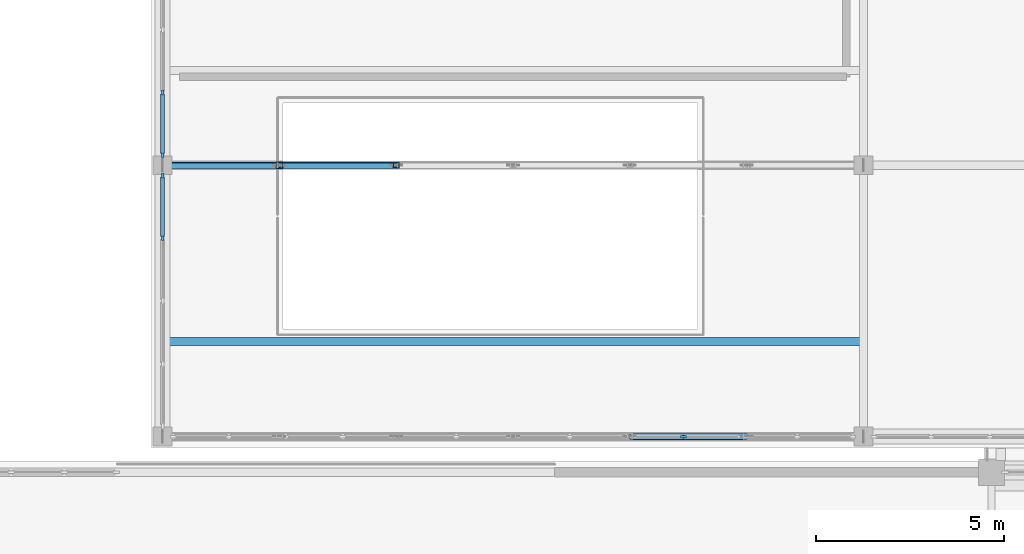
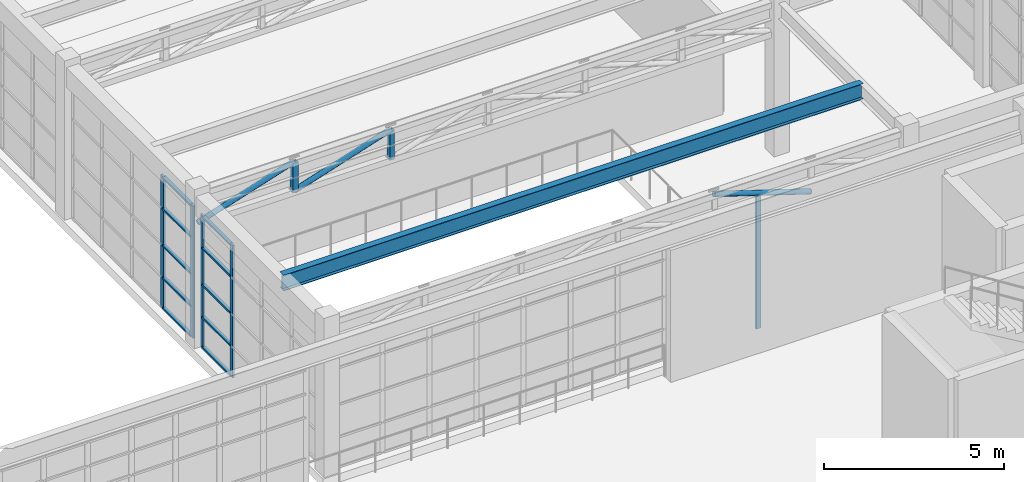
# One storey, part 47 of 103: 20 members, 1 beam, 3 elements without a shape of their own.
"""IFC4 building model written with IfcOpenShell, lengths in metres."""

from ifc_helpers import new_model, si_unit, direction, frame, origin, origin_2d, place, context, subcontext, project, spatial, rectangle, hollow_rectangle, hollow_circle, i_section, extrude, material, layer, layer_set, material_profile, profile_set, type_object, element, aggregate, save


model = new_model("IFC4")

# Units and contexts
model_context = context("Model", 3, precision=1e-05, world=origin(), true_north=direction((0.0, 1.0)))
body_context = subcontext(model_context, "Body", "Model", "MODEL_VIEW")
ifc_project = project(units=[si_unit("LENGTHUNIT", "METRE"), si_unit("AREAUNIT", "SQUARE_METRE"), si_unit("VOLUMEUNIT", "CUBIC_METRE"), si_unit("PLANEANGLEUNIT", "RADIAN"), si_unit("MASSUNIT", "GRAM", prefix="KILO")], contexts=[model_context])

# Site, building, storey
site_placement = place(None, origin())
site = spatial("IfcSite", under=ifc_project, at=site_placement, CompositionType="ELEMENT")
building_placement = place(site_placement, origin())
building = spatial("IfcBuilding", under=site, at=building_placement, Name="Candilejo Ridge Gondola Terminal", CompositionType="ELEMENT")
storey_placement = place(building_placement, frame((0.0, 0.0, 9.0)))
storey = spatial("IfcBuildingStorey", under=building, at=storey_placement, Name="L02", CompositionType="ELEMENT", Elevation=9.0)

# Curtain wall, members
ifc_material_1 = material(Name="Anodised aluminium AA 6063-T6", Category="aluminium")
ifc_layer_1 = layer(ifc_material_1, 0.169921875)
ifc_layer_set_1 = layer_set([ifc_layer_1], Name="ARC-CW-TOWER-3000-670X449")
curtain_wall_type_1 = type_object("IfcCurtainWallType", Name="ARC-CW-TOWER-3000-670X449", PredefinedType="NOTDEFINED", material=ifc_layer_set_1)
curtain_wall_1_placement = place(storey_placement, origin())
curtain_wall_1 = element("IfcCurtainWall", 1, at=curtain_wall_1_placement, inside=storey, type_object=curtain_wall_type_1, Name="Curtain wall V5 L02-174", PredefinedType="NOTDEFINED")
ifc_material_2 = material(Name="Anodised aluminium AA 6063-T6", Category="aluminium")
ifc_material_profile_1 = material_profile(ifc_material_2, rectangle(XDim=0.06494140625, YDim=0.14990234375, at=origin_2d()))
ifc_profile_set_1 = profile_set([ifc_material_profile_1], Name="Anodised aluminium AA 6063-T6")
member_type_1 = type_object("IfcMemberType", Name="ARC-CW-MULLION-150", PredefinedType="MULLION", material=ifc_profile_set_1)
member_1_placement = place(storey_placement, frame((150.0, 53.925048828125, 0.0), z_axis=(0.0, 0.0, 1.0), x_axis=(-1.0, 0.0, 0.0)))
member_1 = element("IfcMember", 2, at=member_1_placement, type_object=member_type_1, Name="CW-67X44 mullion 4", PredefinedType="MULLION", context=body_context, shape_type="SweptSolid", body=[
    extrude(rectangle(XDim=0.06494140625, YDim=0.14990234375, at=origin_2d()), origin(), (0.0, 0.0, 1.0), 4.489990234375),
])
member_2_placement = place(storey_placement, frame((150.0, 55.5673828125, 0.0), z_axis=(0.0, 0.0, 1.0), x_axis=(-1.0, 0.0, 0.0)))
member_2 = element("IfcMember", 3, at=member_2_placement, type_object=member_type_1, Name="CW-67X44 mullion 5", PredefinedType="MULLION", context=body_context, shape_type="SweptSolid", body=[
    extrude(rectangle(XDim=0.06494140625, YDim=0.14990234375, at=origin_2d()), origin(), (0.0, 0.0, 1.0), 4.489990234375),
])

curtain_wall_2_placement = place(storey_placement, origin())
curtain_wall_2 = element("IfcCurtainWall", 4, at=curtain_wall_2_placement, inside=storey, type_object=curtain_wall_type_1, Name="Curtain wall V5 L02-176", PredefinedType="NOTDEFINED")
member_3_placement = place(storey_placement, frame((150.0, 56.132568359375, 0.0), z_axis=(0.0, 0.0, 1.0), x_axis=(-1.0, 0.0, 0.0)))
member_3 = element("IfcMember", 5, at=member_3_placement, type_object=member_type_1, Name="CW-67X44 mullion 1", PredefinedType="MULLION", context=body_context, shape_type="SweptSolid", body=[
    extrude(rectangle(XDim=0.06494140625, YDim=0.14990234375, at=origin_2d()), origin(), (0.0, 0.0, 1.0), 4.489990234375),
])
member_4_placement = place(storey_placement, frame((150.0, 57.77490234375, 0.0), z_axis=(0.0, 0.0, 1.0), x_axis=(-1.0, 0.0, 0.0)))
member_4 = element("IfcMember", 6, at=member_4_placement, type_object=member_type_1, Name="CW-67X44 mullion 2", PredefinedType="MULLION", context=body_context, shape_type="SweptSolid", body=[
    extrude(rectangle(XDim=0.06494140625, YDim=0.14990234375, at=origin_2d()), origin(), (0.0, 0.0, 1.0), 4.489990234375),
])

# Curtain wall, member
ifc_material_3 = material(Name="Anodised aluminium AA 6063-T6", Category="aluminium")
ifc_layer_2 = layer(ifc_material_3, 0.169921875)
ifc_layer_set_2 = layer_set([ifc_layer_2], Name="ARC-CW-TOWER-3000-1810X449")
curtain_wall_type_2 = type_object("IfcCurtainWallType", Name="ARC-CW-TOWER-3000-1810X449", PredefinedType="NOTDEFINED", material=ifc_layer_set_2)
curtain_wall_3_placement = place(storey_placement, origin())
curtain_wall_3 = element("IfcCurtainWall", 7, at=curtain_wall_3_placement, inside=storey, type_object=curtain_wall_type_2, Name="Curtain wall V5 L02-192", PredefinedType="NOTDEFINED")
member_5_placement = place(storey_placement, frame((163.824951171875, 48.64990234375, 0.0), z_axis=(0.0, 0.0, 1.0), x_axis=(0.0, 1.0, 0.0)))
member_5 = element("IfcMember", 8, at=member_5_placement, type_object=member_type_1, Name="CW-181X44 mullion 10", PredefinedType="MULLION", context=body_context, shape_type="SweptSolid", body=[
    extrude(rectangle(XDim=0.06494140625, YDim=0.14990234375, at=origin_2d()), origin(), (0.0, 0.0, 1.0), 4.489990234375),
])
aggregate(curtain_wall_3, [member_5])

# Member
ifc_material_4 = material(Name="Anodised aluminium AA 6063-T6", Category="aluminium")
ifc_material_profile_2 = material_profile(ifc_material_4, rectangle(XDim=0.110107421875, YDim=0.06005859375, at=origin_2d()))
ifc_profile_set_2 = profile_set([ifc_material_profile_2], Name="Anodised aluminium AA 6063-T6")
member_type_2 = type_object("IfcMemberType", Name="ARC-CW-TRANSOM-110", PredefinedType="USERDEFINED", material=ifc_profile_set_2)
member_6_placement = place(storey_placement, frame((150.0, 53.95751953125, 0.030029296875), z_axis=(0.0, 1.0, 0.0), x_axis=(-1.0, 0.0, 0.0)))
member_6 = element("IfcMember", 9, at=member_6_placement, type_object=member_type_2, Name="CW-67X44 transom 4.1", ObjectType="TRANSOM", PredefinedType="USERDEFINED", context=body_context, shape_type="SweptSolid", body=[
    extrude(rectangle(XDim=0.110107421875, YDim=0.06005859375, at=origin_2d()), origin(), (0.0, 0.0, 1.0), 1.577392578125),
])

member_7_placement = place(storey_placement, frame((150.0, 53.95751953125, 1.050048828125), z_axis=(0.0, 1.0, 0.0), x_axis=(-1.0, 0.0, 0.0)))
member_7 = element("IfcMember", 10, at=member_7_placement, type_object=member_type_2, Name="CW-67X44 transom 4.2", ObjectType="TRANSOM", PredefinedType="USERDEFINED", context=body_context, shape_type="SweptSolid", body=[
    extrude(rectangle(XDim=0.110107421875, YDim=0.06005859375, at=origin_2d()), origin(), (0.0, 0.0, 1.0), 1.577392578125),
])

member_8_placement = place(storey_placement, frame((150.0, 53.95751953125, 2.14990234375), z_axis=(0.0, 1.0, 0.0), x_axis=(-1.0, 0.0, 0.0)))
member_8 = element("IfcMember", 11, at=member_8_placement, type_object=member_type_2, Name="CW-67X44 transom 4.3", ObjectType="TRANSOM", PredefinedType="USERDEFINED", context=body_context, shape_type="SweptSolid", body=[
    extrude(rectangle(XDim=0.110107421875, YDim=0.06005859375, at=origin_2d()), origin(), (0.0, 0.0, 1.0), 1.577392578125),
])

member_9_placement = place(storey_placement, frame((150.0, 53.95751953125, 3.39990234375), z_axis=(0.0, 1.0, 0.0), x_axis=(-1.0, 0.0, 0.0)))
member_9 = element("IfcMember", 12, at=member_9_placement, type_object=member_type_2, Name="CW-67X44 transom 4.4", ObjectType="TRANSOM", PredefinedType="USERDEFINED", context=body_context, shape_type="SweptSolid", body=[
    extrude(rectangle(XDim=0.110107421875, YDim=0.06005859375, at=origin_2d()), origin(), (0.0, 0.0, 1.0), 1.577392578125),
])

member_10_placement = place(storey_placement, frame((150.0, 53.95751953125, 4.4599609375), z_axis=(0.0, 1.0, 0.0), x_axis=(-1.0, 0.0, 0.0)))
member_10 = element("IfcMember", 13, at=member_10_placement, type_object=member_type_2, Name="CW-67X44 transom 4.5", ObjectType="TRANSOM", PredefinedType="USERDEFINED", context=body_context, shape_type="SweptSolid", body=[
    extrude(rectangle(XDim=0.110107421875, YDim=0.06005859375, at=origin_2d()), origin(), (0.0, 0.0, 1.0), 1.577392578125),
])

aggregate(curtain_wall_1, [member_1, member_2, member_6, member_7, member_8, member_9, member_10])

member_11_placement = place(storey_placement, frame((150.0, 56.1650390625, 0.030029296875), z_axis=(0.0, 1.0, 0.0), x_axis=(-1.0, 0.0, 0.0)))
member_11 = element("IfcMember", 14, at=member_11_placement, type_object=member_type_2, Name="CW-67X44 transom 1.1", ObjectType="TRANSOM", PredefinedType="USERDEFINED", context=body_context, shape_type="SweptSolid", body=[
    extrude(rectangle(XDim=0.110107421875, YDim=0.06005859375, at=origin_2d()), origin(), (0.0, 0.0, 1.0), 1.577392578125),
])

member_12_placement = place(storey_placement, frame((150.0, 56.1650390625, 1.050048828125), z_axis=(0.0, 1.0, 0.0), x_axis=(-1.0, 0.0, 0.0)))
member_12 = element("IfcMember", 15, at=member_12_placement, type_object=member_type_2, Name="CW-67X44 transom 1.2", ObjectType="TRANSOM", PredefinedType="USERDEFINED", context=body_context, shape_type="SweptSolid", body=[
    extrude(rectangle(XDim=0.110107421875, YDim=0.06005859375, at=origin_2d()), origin(), (0.0, 0.0, 1.0), 1.577392578125),
])

member_13_placement = place(storey_placement, frame((150.0, 56.1650390625, 2.14990234375), z_axis=(0.0, 1.0, 0.0), x_axis=(-1.0, 0.0, 0.0)))
member_13 = element("IfcMember", 16, at=member_13_placement, type_object=member_type_2, Name="CW-67X44 transom 1.3", ObjectType="TRANSOM", PredefinedType="USERDEFINED", context=body_context, shape_type="SweptSolid", body=[
    extrude(rectangle(XDim=0.110107421875, YDim=0.06005859375, at=origin_2d()), origin(), (0.0, 0.0, 1.0), 1.577392578125),
])

member_14_placement = place(storey_placement, frame((150.0, 56.1650390625, 3.39990234375), z_axis=(0.0, 1.0, 0.0), x_axis=(-1.0, 0.0, 0.0)))
member_14 = element("IfcMember", 17, at=member_14_placement, type_object=member_type_2, Name="CW-67X44 transom 1.4", ObjectType="TRANSOM", PredefinedType="USERDEFINED", context=body_context, shape_type="SweptSolid", body=[
    extrude(rectangle(XDim=0.110107421875, YDim=0.06005859375, at=origin_2d()), origin(), (0.0, 0.0, 1.0), 1.577392578125),
])

member_15_placement = place(storey_placement, frame((150.0, 56.1650390625, 4.4599609375), z_axis=(0.0, 1.0, 0.0), x_axis=(-1.0, 0.0, 0.0)))
member_15 = element("IfcMember", 18, at=member_15_placement, type_object=member_type_2, Name="CW-67X44 transom 1.5", ObjectType="TRANSOM", PredefinedType="USERDEFINED", context=body_context, shape_type="SweptSolid", body=[
    extrude(rectangle(XDim=0.110107421875, YDim=0.06005859375, at=origin_2d()), origin(), (0.0, 0.0, 1.0), 1.577392578125),
])

aggregate(curtain_wall_2, [member_3, member_4, member_11, member_12, member_13, member_14, member_15])

# Beam
ifc_material_5 = material(Name="Steel ASTM A992 Grade 50", Category="steel")
ifc_material_profile_3 = material_profile(ifc_material_5, i_section(OverallWidth=0.208984375, OverallDepth=0.532958984375, WebThickness=0.01025390625, FlangeThickness=0.015625, at=origin_2d()))
ifc_profile_set_3 = profile_set([ifc_material_profile_3], Name="Steel ASTM A992 Grade 50")
beam_type = type_object("IfcBeamType", Name="STR-BM-W530X92", PredefinedType="BEAM", material=ifc_profile_set_3)
beam_placement = place(storey_placement, frame((150.0, 51.169921875, 4.8935546875), z_axis=(1.0, 0.0, 0.0), x_axis=(0.0, 1.0, 0.0)))
element("IfcBeam", 19, at=beam_placement, inside=storey, type_object=beam_type, Name="Cabin storage runway girder 01", PredefinedType="BEAM", context=body_context, shape_type="SweptSolid", body=[
    extrude(i_section(OverallWidth=0.208984375, OverallDepth=0.532958984375, WebThickness=0.01025390625, FlangeThickness=0.015625, at=origin_2d()), origin(), (0.0, 0.0, 1.0), 18.60009765625),
])

# Members
ifc_material_6 = material(Name="Steel ASTM A500 Grade C", Category="steel")
ifc_material_profile_4 = material_profile(ifc_material_6, hollow_circle(Radius=0.084228515625, WallThickness=0.007080078125, at=origin_2d()))
ifc_profile_set_4 = profile_set([ifc_material_profile_4], Name="Steel ASTM A500 Grade C")
member_type_3 = type_object("IfcMemberType", Name="STR-BRC-CHS168", PredefinedType="BRACE", material=ifc_profile_set_4)
for number, where, z_axis, x_axis, name in (
    (20, (165.5, 48.64990234375, 4.050048828125), (-0.951711443346, 0.0, 0.306994020471), (0.0, -1.0, 0.0), "Garage truss diagonal 01-05"),
    (21, (150.0, 55.85009765625, 4.050048828125), (0.951711443346, 0.0, 0.306994020471), (0.0, 1.0, 0.0), "Garage truss diagonal 02-01"),
):
    element("IfcMember", number, at=place(storey_placement, frame(where, z_axis=z_axis, x_axis=x_axis)), inside=storey, type_object=member_type_3, Name=name, PredefinedType="BRACE", context=body_context, shape_type="SweptSolid", body=[
        extrude(hollow_circle(Radius=0.084228515625, WallThickness=0.007080078125, at=origin_2d()), origin(), (0.0, 0.0, 1.0), 3.25732421875),
    ])
member_16_placement = place(storey_placement, frame((153.10009765625, 55.85009765625, 4.050048828125), z_axis=(0.951704378929, 0.0, 0.307015919989), x_axis=(0.0, 1.0, 0.0)))
element("IfcMember", 22, at=member_16_placement, inside=storey, type_object=member_type_3, Name="Garage truss diagonal 02-02", PredefinedType="BRACE", context=body_context, shape_type="SweptSolid", body=[
    extrude(hollow_circle(Radius=0.084228515625, WallThickness=0.007080078125, at=origin_2d()), origin(), (0.0, 0.0, 1.0), 3.257080078125),
])
ifc_material_7 = material(Name="Steel ASTM A500 Grade C", Category="steel")
ifc_material_profile_5 = material_profile(ifc_material_7, hollow_rectangle(XDim=0.14990234375, YDim=0.14990234375, WallThickness=0.00634765625, at=origin_2d()))
ifc_profile_set_5 = profile_set([ifc_material_profile_5], Name="Steel ASTM A500 Grade C")
member_type_4 = type_object("IfcMemberType", Name="STR-PST-HSS150", PredefinedType="POST", material=ifc_profile_set_5)
member_17_placement = place(storey_placement, frame((156.199951171875, 55.85009765625, 4.050048828125), z_axis=(0.0, 0.0, 1.0), x_axis=(1.0, 0.0, 0.0)))
element("IfcMember", 23, at=member_17_placement, inside=storey, type_object=member_type_4, Name="Garage truss post 02-02", PredefinedType="POST", context=body_context, shape_type="SweptSolid", body=[
    extrude(hollow_rectangle(XDim=0.14990234375, YDim=0.14990234375, WallThickness=0.00634765625, at=origin_2d()), origin(), (0.0, 0.0, 1.0), 1.0),
])
ifc_material_8 = material(Name="Steel ASTM A500 Grade C", Category="steel")
ifc_material_profile_6 = material_profile(ifc_material_8, hollow_rectangle(XDim=0.179931640625, YDim=0.179931640625, WallThickness=0.00634765625, at=origin_2d()))
ifc_profile_set_6 = profile_set([ifc_material_profile_6], Name="Steel ASTM A500 Grade C")
member_type_5 = type_object("IfcMemberType", Name="STR-PST-HSS180", PredefinedType="POST", material=ifc_profile_set_6)
member_18_placement = place(storey_placement, frame((153.10009765625, 55.85009765625, 4.050048828125), z_axis=(0.0, 0.0, 1.0), x_axis=(1.0, 0.0, 0.0)))
element("IfcMember", 24, at=member_18_placement, inside=storey, type_object=member_type_5, Name="Garage truss post 02-01", PredefinedType="POST", context=body_context, shape_type="SweptSolid", body=[
    extrude(hollow_rectangle(XDim=0.179931640625, YDim=0.179931640625, WallThickness=0.00634765625, at=origin_2d()), origin(), (0.0, 0.0, 1.0), 1.0),
])

save(model, "model.ifc")
